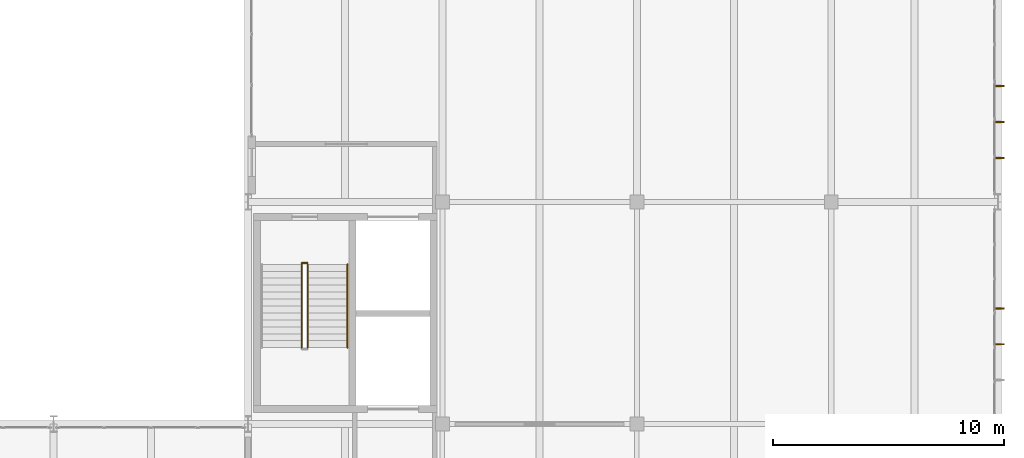
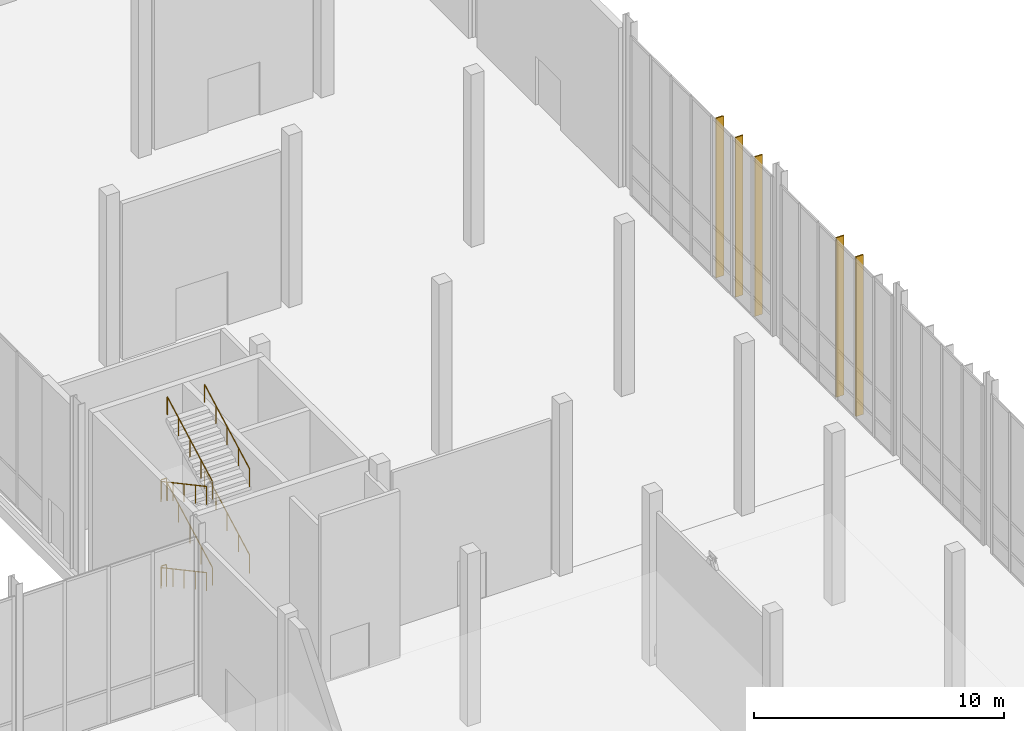
# One storey, part 131 of 131: 8 railings, 5 shading devices.
"""IFC4 building model written with IfcOpenShell, lengths in metres."""

from ifc_helpers import new_model, si_unit, direction, frame, origin, origin_2d, place, context, subcontext, project, spatial, rectangle, circle, extrude, material, type_object, element, save


model = new_model("IFC4")

# Units and contexts
model_context = context("Model", 3, precision=1e-05, world=origin(), true_north=direction((0.0, 1.0)))
body_context = subcontext(model_context, "Body", "Model", "MODEL_VIEW")
ifc_project = project(units=[si_unit("LENGTHUNIT", "METRE"), si_unit("AREAUNIT", "SQUARE_METRE"), si_unit("VOLUMEUNIT", "CUBIC_METRE"), si_unit("PLANEANGLEUNIT", "RADIAN"), si_unit("MASSUNIT", "GRAM", prefix="KILO")], contexts=[model_context])

# Site, building, storey
site_placement = place(None, origin())
site = spatial("IfcSite", under=ifc_project, at=site_placement, CompositionType="ELEMENT")
building_placement = place(site_placement, origin())
building = spatial("IfcBuilding", under=site, at=building_placement, Name="Veltarok Museum of Natural Sciences", CompositionType="ELEMENT")
storey_placement = place(building_placement, origin())
storey = spatial("IfcBuildingStorey", under=building, at=storey_placement, Name="L00", CompositionType="ELEMENT", Elevation=0.0)

# Railings
ifc_material_1 = material(Name="Steel S355J2", Category="steel")
railing_type_1 = type_object("IfcRailingType", Name="Interior Atrium and Stairwell Guardrail 1100", PredefinedType="GUARDRAIL", material=ifc_material_1)
for number, where, name in (
    (1, (134.72998046875, 33.35009765625, 0.0), "Stairwell Floor Guard ST-05 L00"),
    (2, (134.72998046875, 33.360107421875, 4.199951171875), "Landing Well Guard ST-05-L00-L2"),
):
    element("IfcRailing", number, at=place(storey_placement, frame(where)), inside=storey, type_object=railing_type_1, Name=name, PredefinedType="GUARDRAIL", context=body_context, shape_type="SweptSolid", body=[
        extrude(circle(Radius=0.02392578125, at=origin_2d()), frame((0.0, 0.0, 1.076171875), z_axis=(1.0, 0.0, 0.0), x_axis=(0.0, 1.0, 0.0)), (0.0, 0.0, 1.0), 0.239990234375),
        extrude(circle(Radius=0.02099609375, at=origin_2d()), origin(), (0.0, 0.0, 1.0), 1.052001953125),
        extrude(circle(Radius=0.02099609375, at=origin_2d()), frame((0.239990234375, 0.0, 0.0)), (0.0, 0.0, 1.0), 1.052001953125),
    ])
railing_type_2 = type_object("IfcRailingType", Name="Stair Flight Tubular Steel Handrail 900", PredefinedType="HANDRAIL", material=ifc_material_1)
railing_1_placement = place(storey_placement, frame((134.719970703125, 33.300048828125, 0.16162109375)))
element("IfcRailing", 3, at=railing_1_placement, inside=storey, type_object=railing_type_2, Name="Stair Handrail ST-05-L00-F1R", PredefinedType="HANDRAIL", context=body_context, shape_type="SweptSolid", body=[
    extrude(circle(Radius=0.02392578125, at=origin_2d()), frame((0.0, 0.0, 0.8759765625), z_axis=(0.0, -0.880474934443, 0.474092701714), x_axis=(1.0, 0.0, 0.0)), (0.0, 0.0, 1.0), 4.0888671875),
    extrude(circle(Radius=0.02099609375, at=origin_2d()), origin(), (0.0, 0.0, 1.0), 0.851806640625),
    extrude(circle(Radius=0.02099609375, at=origin_2d()), frame((0.0, -0.89990234375, 0.484619140625)), (0.0, 0.0, 1.0), 0.851806640625),
    extrude(circle(Radius=0.02099609375, at=origin_2d()), frame((0.0, -1.800048828125, 0.96923828125)), (0.0, 0.0, 1.0), 0.851806640625),
    extrude(circle(Radius=0.02099609375, at=origin_2d()), frame((0.0, -2.7001953125, 1.453857421875)), (0.0, 0.0, 1.0), 0.851806640625),
    extrude(circle(Radius=0.02099609375, at=origin_2d()), frame((0.0, -3.60009765625, 1.9384765625)), (0.0, 0.0, 1.0), 0.851806640625),
])
for number, where, name in (
    (4, (134.97998046875, 29.699951171875, 2.261474609375), "Stair Handrail ST-05-L00-F2L"),
    (5, (136.699951171875, 29.699951171875, 2.261474609375), "Stair Handrail ST-05-L00-F2R"),
):
    element("IfcRailing", number, at=place(storey_placement, frame(where)), inside=storey, type_object=railing_type_2, Name=name, PredefinedType="HANDRAIL", context=body_context, shape_type="SweptSolid", body=[
        extrude(circle(Radius=0.02392578125, at=origin_2d()), frame((0.0, 0.0, 0.8759765625), z_axis=(0.0, 0.880474934443, 0.474092701714), x_axis=(-1.0, 0.0, 0.0)), (0.0, 0.0, 1.0), 4.0888671875),
        extrude(circle(Radius=0.02099609375, at=origin_2d()), origin(), (0.0, 0.0, 1.0), 0.851806640625),
        extrude(circle(Radius=0.02099609375, at=origin_2d()), frame((0.0, 0.89990234375, 0.484619140625)), (0.0, 0.0, 1.0), 0.851806640625),
        extrude(circle(Radius=0.02099609375, at=origin_2d()), frame((0.0, 1.800048828125, 0.96923828125)), (0.0, 0.0, 1.0), 0.851806640625),
        extrude(circle(Radius=0.02099609375, at=origin_2d()), frame((0.0, 2.7001953125, 1.453857421875)), (0.0, 0.0, 1.0), 0.851806640625),
        extrude(circle(Radius=0.02099609375, at=origin_2d()), frame((0.0, 3.60009765625, 1.9384765625)), (0.0, 0.0, 1.0), 0.851806640625),
    ])
railing_2_placement = place(storey_placement, frame((134.719970703125, 33.300048828125, 4.361572265625)))
element("IfcRailing", 6, at=railing_2_placement, inside=storey, type_object=railing_type_2, Name="Stair Handrail ST-05-L00-F3R", PredefinedType="HANDRAIL", context=body_context, shape_type="SweptSolid", body=[
    extrude(circle(Radius=0.02392578125, at=origin_2d()), frame((0.0, 0.0, 0.8759765625), z_axis=(0.0, -0.880474934443, 0.474092701714), x_axis=(1.0, 0.0, 0.0)), (0.0, 0.0, 1.0), 4.0888671875),
    extrude(circle(Radius=0.02099609375, at=origin_2d()), origin(), (0.0, 0.0, 1.0), 0.851806640625),
    extrude(circle(Radius=0.02099609375, at=origin_2d()), frame((0.0, -0.89990234375, 0.484619140625)), (0.0, 0.0, 1.0), 0.851806640625),
    extrude(circle(Radius=0.02099609375, at=origin_2d()), frame((0.0, -1.800048828125, 0.96923828125)), (0.0, 0.0, 1.0), 0.851806640625),
    extrude(circle(Radius=0.02099609375, at=origin_2d()), frame((0.0, -2.7001953125, 1.453857421875)), (0.0, 0.0, 1.0), 0.851806640625),
    extrude(circle(Radius=0.02099609375, at=origin_2d()), frame((0.0, -3.60009765625, 1.9384765625)), (0.0, 0.0, 1.0), 0.851806640625),
])
for number, where, name in (
    (7, (134.97998046875, 29.699951171875, 6.46142578125), "Stair Handrail ST-05-L00-F4L"),
    (8, (136.699951171875, 29.699951171875, 6.46142578125), "Stair Handrail ST-05-L00-F4R"),
):
    element("IfcRailing", number, at=place(storey_placement, frame(where)), inside=storey, type_object=railing_type_2, Name=name, PredefinedType="HANDRAIL", context=body_context, shape_type="SweptSolid", body=[
        extrude(circle(Radius=0.02392578125, at=origin_2d()), frame((0.0, 0.0, 0.8759765625), z_axis=(0.0, 0.880474934443, 0.474092701714), x_axis=(-1.0, 0.0, 0.0)), (0.0, 0.0, 1.0), 4.0888671875),
        extrude(circle(Radius=0.02099609375, at=origin_2d()), origin(), (0.0, 0.0, 1.0), 0.851806640625),
        extrude(circle(Radius=0.02099609375, at=origin_2d()), frame((0.0, 0.89990234375, 0.484619140625)), (0.0, 0.0, 1.0), 0.851806640625),
        extrude(circle(Radius=0.02099609375, at=origin_2d()), frame((0.0, 1.800048828125, 0.96923828125)), (0.0, 0.0, 1.0), 0.851806640625),
        extrude(circle(Radius=0.02099609375, at=origin_2d()), frame((0.0, 2.7001953125, 1.453857421875)), (0.0, 0.0, 1.0), 0.851806640625),
        extrude(circle(Radius=0.02099609375, at=origin_2d()), frame((0.0, 3.60009765625, 1.9384765625)), (0.0, 0.0, 1.0), 0.851806640625),
    ])

# Shading devices
ifc_material_2 = material(Name="Thermally broken anodised aluminium", Category="aluminium")
shading_device_type = type_object("IfcShadingDeviceType", Name="Vertical Anodised Aluminium Solar Shading Fin 350", PredefinedType="JALOUSIE", material=ifc_material_2)
for number, where, z_axis, x_axis, name in (
    (9, (164.889892578125, 29.85009765625, 0.0), (0.0, 0.0, 1.0), (1.0, 0.0, 0.0), "Solar Shading Fin L00 11"),
    (10, (164.889892578125, 31.39990234375, 0.0), (0.0, 0.0, 1.0), (1.0, 0.0, 0.0), "Solar Shading Fin L00 12"),
    (11, (164.889892578125, 37.89990234375, 0.0), (0.0, 0.0, 1.0), (1.0, 0.0, 0.0), "Solar Shading Fin L00 13"),
    (12, (164.889892578125, 39.449951171875, 0.0), (0.0, 0.0, 1.0), (1.0, 0.0, 0.0), "Solar Shading Fin L00 14"),
    (13, (164.889892578125, 41.0, 0.0), (0.0, 0.0, 1.0), (1.0, 0.0, 0.0), "Solar Shading Fin L00 15"),
):
    element("IfcShadingDevice", number, at=place(storey_placement, frame(where, z_axis=z_axis, x_axis=x_axis)), inside=storey, type_object=shading_device_type, Name=name, PredefinedType="JALOUSIE", context=body_context, shape_type="SweptSolid", body=[
        extrude(rectangle(XDim=0.35009765625, YDim=0.06005859375, at=origin_2d()), origin(), (0.0, 0.0, 1.0), 7.780029296875),
    ])

save(model, "model.ifc")
